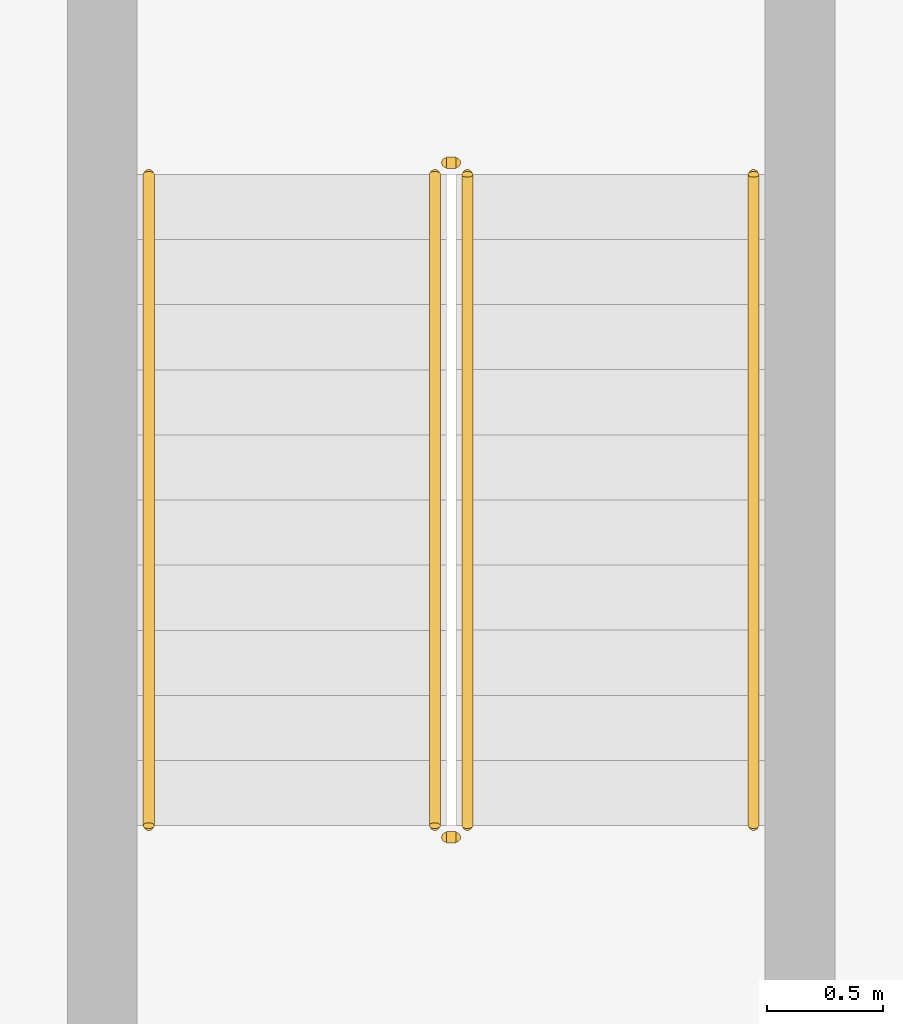
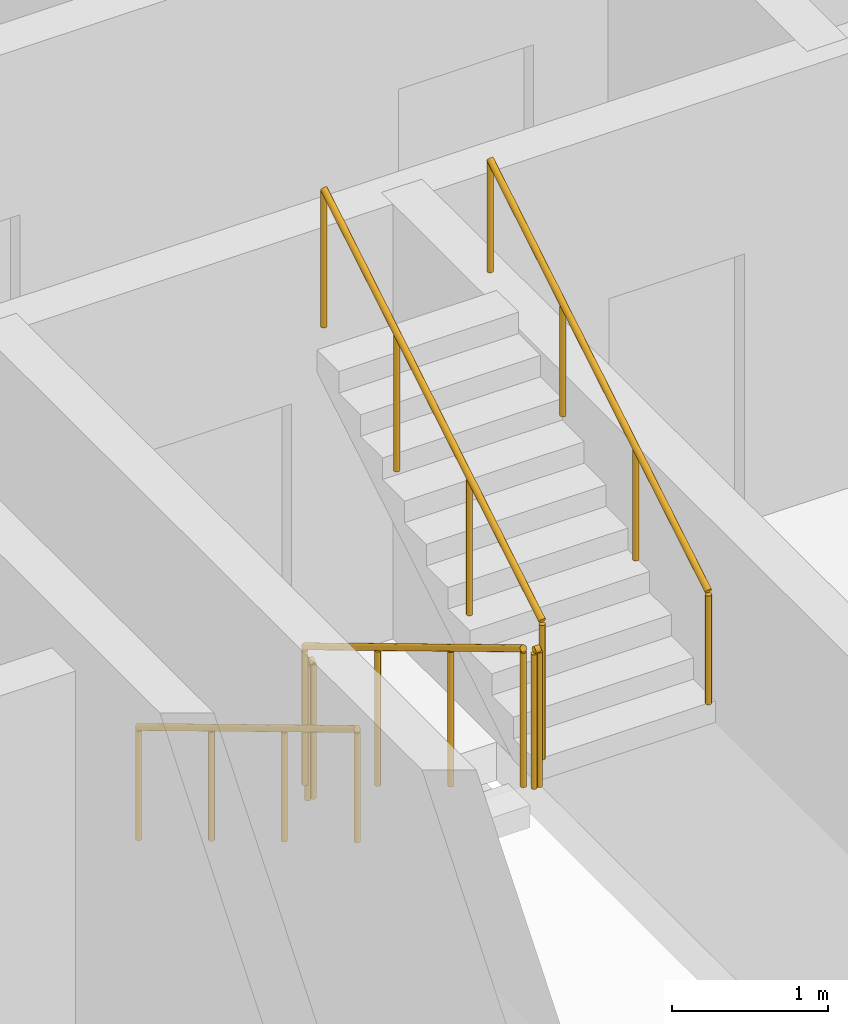
# One storey, part 23 of 25: 6 railings.
"""IFC4 building model written with IfcOpenShell, lengths in metres."""

from ifc_helpers import new_model, si_unit, direction, frame, origin, origin_2d, place, context, subcontext, project, spatial, circle, extrude, material, type_object, element, save


model = new_model("IFC4")

# Units and contexts
model_context = context("Model", 3, precision=1e-05, world=origin(), true_north=direction((0.0, 1.0)))
body_context = subcontext(model_context, "Body", "Model", "MODEL_VIEW")
ifc_project = project(units=[si_unit("LENGTHUNIT", "METRE"), si_unit("AREAUNIT", "SQUARE_METRE"), si_unit("VOLUMEUNIT", "CUBIC_METRE"), si_unit("PLANEANGLEUNIT", "RADIAN"), si_unit("MASSUNIT", "GRAM", prefix="KILO")], contexts=[model_context])

# Site, building, storey
site_placement = place(None, origin())
site = spatial("IfcSite", under=ifc_project, at=site_placement, CompositionType="ELEMENT")
building_placement = place(site_placement, origin())
building = spatial("IfcBuilding", under=site, at=building_placement, Name="Ogive Portal Towers", CompositionType="ELEMENT")
storey_placement = place(building_placement, frame((0.0, 0.0, 182.89990234375)))
storey = spatial("IfcBuildingStorey", under=building, at=storey_placement, Name="L45", CompositionType="ELEMENT", Elevation=182.89990234375)

# Railings
ifc_material_1 = material(Name="Stainless steel balustrade", Category="steel")
railing_type_1 = type_object("IfcRailingType", Name="INT-GUARD", PredefinedType="GUARDRAIL", material=ifc_material_1)
railing_1_placement = place(storey_placement, frame((88.280029296875, 29.169921875, 0.168212890625)))
element("IfcRailing", 1, at=railing_1_placement, inside=storey, type_object=railing_type_1, Name="L45 ST-A4 stair guard 1", PredefinedType="GUARDRAIL", context=body_context, shape_type="SweptSolid", body=[
    extrude(circle(Radius=0.02392578125, at=origin_2d()), frame((0.0, 0.0, 1.076171875), z_axis=(0.0, -0.857222391501, 0.514946377315), x_axis=(1.0, 0.0, 0.0)), (0.0, 0.0, 1.0), 3.26611328125),
    extrude(circle(Radius=0.02099609375, at=origin_2d()), origin(), (0.0, 0.0, 1.0), 1.052001953125),
    extrude(circle(Radius=0.02099609375, at=origin_2d()), frame((0.0, -0.933349609375, 0.560546875)), (0.0, 0.0, 1.0), 1.052001953125),
    extrude(circle(Radius=0.02099609375, at=origin_2d()), frame((0.0, -1.866455078125, 1.121337890625)), (0.0, 0.0, 1.0), 1.052001953125),
    extrude(circle(Radius=0.02099609375, at=origin_2d()), frame((0.0, -2.7998046875, 1.681884765625)), (0.0, 0.0, 1.0), 1.052001953125),
])
railing_2_placement = place(storey_placement, frame((88.330078125, 26.320068359375, 1.85009765625)))
element("IfcRailing", 2, at=railing_2_placement, inside=storey, type_object=railing_type_1, Name="L45 ST-A4 stair guard 2", PredefinedType="GUARDRAIL", context=body_context, shape_type="SweptSolid", body=[
    extrude(circle(Radius=0.02392578125, at=origin_2d()), frame((0.0, 0.0, 1.076171875), z_axis=(1.0, 0.0, 0.0), x_axis=(0.0, 1.0, 0.0)), (0.0, 0.0, 1.0), 0.0400390625),
    extrude(circle(Radius=0.02099609375, at=origin_2d()), origin(), (0.0, 0.0, 1.0), 1.052001953125),
    extrude(circle(Radius=0.02099609375, at=origin_2d()), frame((0.0400390625, 0.0, 0.0)), (0.0, 0.0, 1.0), 1.052001953125),
])
railing_3_placement = place(storey_placement, frame((88.419921875, 26.3701171875, 2.018310546875)))
element("IfcRailing", 3, at=railing_3_placement, inside=storey, type_object=railing_type_1, Name="L45 ST-A4 stair guard 3", PredefinedType="GUARDRAIL", context=body_context, shape_type="SweptSolid", body=[
    extrude(circle(Radius=0.02392578125, at=origin_2d()), frame((0.0, 0.0, 1.076171875), z_axis=(0.0, 0.857222391501, 0.514946377315), x_axis=(-1.0, 0.0, 0.0)), (0.0, 0.0, 1.0), 3.26611328125),
    extrude(circle(Radius=0.02099609375, at=origin_2d()), origin(), (0.0, 0.0, 1.0), 1.052001953125),
    extrude(circle(Radius=0.02099609375, at=origin_2d()), frame((0.0, 0.933349609375, 0.560546875)), (0.0, 0.0, 1.0), 1.052001953125),
    extrude(circle(Radius=0.02099609375, at=origin_2d()), frame((0.0, 1.866455078125, 1.121337890625)), (0.0, 0.0, 1.0), 1.052001953125),
    extrude(circle(Radius=0.02099609375, at=origin_2d()), frame((0.0, 2.7998046875, 1.681884765625)), (0.0, 0.0, 1.0), 1.052001953125),
])
railing_4_placement = place(storey_placement, frame((88.330078125, 29.219970703125, 0.0)))
element("IfcRailing", 4, at=railing_4_placement, inside=storey, type_object=railing_type_1, Name="L45 ST-A4 stair guard 4", PredefinedType="GUARDRAIL", context=body_context, shape_type="SweptSolid", body=[
    extrude(circle(Radius=0.02392578125, at=origin_2d()), frame((0.0, 0.0, 1.076171875), z_axis=(1.0, 0.0, 0.0), x_axis=(0.0, 1.0, 0.0)), (0.0, 0.0, 1.0), 0.0400390625),
    extrude(circle(Radius=0.02099609375, at=origin_2d()), origin(), (0.0, 0.0, 1.0), 1.052001953125),
    extrude(circle(Radius=0.02099609375, at=origin_2d()), frame((0.0400390625, 0.0, 0.0)), (0.0, 0.0, 1.0), 1.052001953125),
])
ifc_material_2 = material(Name="Stainless steel handrail", Category="steel")
railing_type_2 = type_object("IfcRailingType", Name="INT-HANDRAIL", PredefinedType="HANDRAIL", material=ifc_material_2)
railing_5_placement = place(storey_placement, frame((87.050048828125, 29.169921875, 0.168212890625)))
element("IfcRailing", 5, at=railing_5_placement, inside=storey, type_object=railing_type_2, Name="L45 ST-A4 stair handrail 1", PredefinedType="HANDRAIL", context=body_context, shape_type="SweptSolid", body=[
    extrude(circle(Radius=0.02392578125, at=origin_2d()), frame((0.0, 0.0, 0.8759765625), z_axis=(0.0, -0.857222391501, 0.514946377315), x_axis=(1.0, 0.0, 0.0)), (0.0, 0.0, 1.0), 3.26611328125),
    extrude(circle(Radius=0.02099609375, at=origin_2d()), origin(), (0.0, 0.0, 1.0), 0.851806640625),
    extrude(circle(Radius=0.02099609375, at=origin_2d()), frame((0.0, -0.933349609375, 0.560546875)), (0.0, 0.0, 1.0), 0.851806640625),
    extrude(circle(Radius=0.02099609375, at=origin_2d()), frame((0.0, -1.866455078125, 1.121337890625)), (0.0, 0.0, 1.0), 0.851806640625),
    extrude(circle(Radius=0.02099609375, at=origin_2d()), frame((0.0, -2.7998046875, 1.681884765625)), (0.0, 0.0, 1.0), 0.851806640625),
])
railing_6_placement = place(storey_placement, frame((89.64990234375, 26.3701171875, 2.018310546875)))
element("IfcRailing", 6, at=railing_6_placement, inside=storey, type_object=railing_type_2, Name="L45 ST-A4 stair handrail 2", PredefinedType="HANDRAIL", context=body_context, shape_type="SweptSolid", body=[
    extrude(circle(Radius=0.02392578125, at=origin_2d()), frame((0.0, 0.0, 0.8759765625), z_axis=(0.0, 0.857222391501, 0.514946377315), x_axis=(-1.0, 0.0, 0.0)), (0.0, 0.0, 1.0), 3.26611328125),
    extrude(circle(Radius=0.02099609375, at=origin_2d()), origin(), (0.0, 0.0, 1.0), 0.851806640625),
    extrude(circle(Radius=0.02099609375, at=origin_2d()), frame((0.0, 0.933349609375, 0.560546875)), (0.0, 0.0, 1.0), 0.851806640625),
    extrude(circle(Radius=0.02099609375, at=origin_2d()), frame((0.0, 1.866455078125, 1.121337890625)), (0.0, 0.0, 1.0), 0.851806640625),
    extrude(circle(Radius=0.02099609375, at=origin_2d()), frame((0.0, 2.7998046875, 1.681884765625)), (0.0, 0.0, 1.0), 0.851806640625),
])

save(model, "model.ifc")
